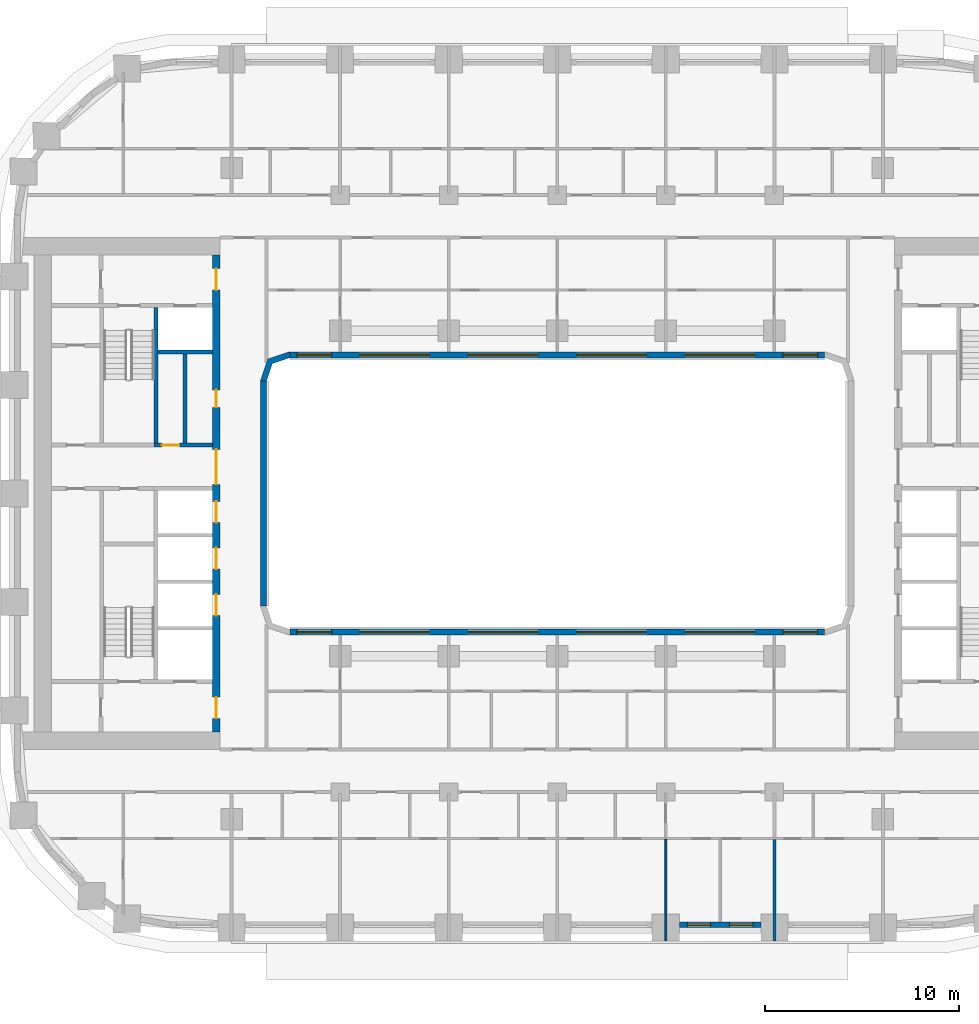
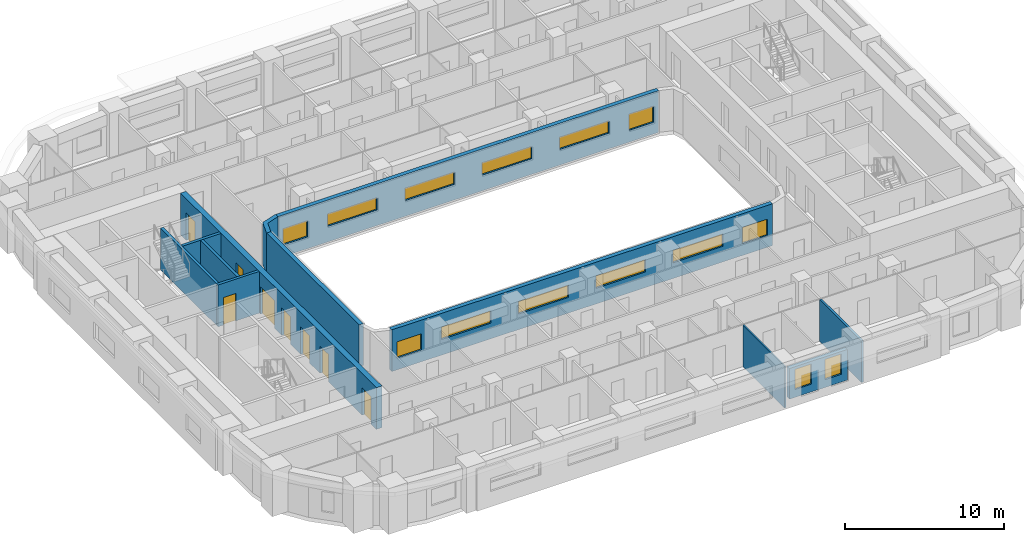
# One storey, part 5 of 22: 14 windows, 12 walls, 8 doors, 22 openings.
"""IFC4 building model written with IfcOpenShell, lengths in metres."""

from ifc_helpers import new_model, si_unit, direction, frame, frame_2d, origin, place, context, subcontext, project, spatial, polyline, rectangle, outline, extrude, material, layer, layer_set, type_object, element, fill, save


model = new_model("IFC4")

# Units and contexts
model_context = context("Model", 3, precision=1e-05, world=origin(), true_north=direction((0.0, 1.0)))
body_context = subcontext(model_context, "Body", "Model", "MODEL_VIEW")
ifc_project = project(units=[si_unit("LENGTHUNIT", "METRE"), si_unit("AREAUNIT", "SQUARE_METRE"), si_unit("VOLUMEUNIT", "CUBIC_METRE"), si_unit("PLANEANGLEUNIT", "RADIAN"), si_unit("MASSUNIT", "GRAM", prefix="KILO")], contexts=[model_context])

# Site, building, storey
site_placement = place(None, origin())
site = spatial("IfcSite", under=ifc_project, at=site_placement, CompositionType="ELEMENT")
building_placement = place(site_placement, origin())
building = spatial("IfcBuilding", under=site, at=building_placement, Name="Kiln Ring Residences", CompositionType="ELEMENT")
storey_placement = place(building_placement, frame((0.0, 0.0, 62.0)))
storey = spatial("IfcBuildingStorey", under=building, at=storey_placement, Name="L15", CompositionType="ELEMENT", Elevation=62.0)

# Wall
ifc_material_1 = material(Name="Gypsum board on steel studs", Category="steel")
ifc_layer_1 = layer(ifc_material_1, 0.199951171875)
ifc_layer_set_1 = layer_set([ifc_layer_1], Name="CORE-PARTITION-200")
wall_type_1 = type_object("IfcWallType", Name="CORE-PARTITION-200", PredefinedType="PARTITIONING", material=ifc_layer_set_1)
wall_1_placement = place(storey_placement, frame((-19.199951171875, 2.60009765625, 0.0), z_axis=(0.0, 0.0, 1.0), x_axis=(0.0, 1.0, 0.0)))
element("IfcWall", 1, at=wall_1_placement, inside=storey, type_object=wall_type_1, Name="Core partition west L15 3", PredefinedType="PARTITIONING", context=body_context, shape_type="SweptSolid", body=[
    extrude(rectangle(XDim=4.599853515625, YDim=0.199951171875, at=frame_2d((2.2998046875, 0.0))), origin(), (0.0, 0.0, 1.0), 3.199951171875),
])

# Wall, opening, door
ifc_material_2 = material(Name="Gypsum shaft wall system")
ifc_layer_2 = layer(ifc_material_2, 0.199951171875)
ifc_layer_set_2 = layer_set([ifc_layer_2], Name="CORE-SHAFT-WALL-200")
wall_type_2 = type_object("IfcWallType", Name="CORE-SHAFT-WALL-200", PredefinedType="PARTITIONING", material=ifc_layer_set_2)
wall_2_placement = place(storey_placement, frame((-17.800048828125, 2.5, 0.0), z_axis=(0.0, 0.0, 1.0), x_axis=(-1.0, 0.0, 0.0)))
wall_2 = element("IfcWall", 2, at=wall_2_placement, inside=storey, type_object=wall_type_2, Name="Core partition west L15 11", PredefinedType="PARTITIONING", context=body_context, shape_type="SweptSolid", body=[
    extrude(rectangle(XDim=3.0, YDim=0.199951171875, at=frame_2d((1.5, 0.0))), origin(), (0.0, 0.0, 1.0), 3.199951171875),
])
opening_1_placement = place(wall_2_placement, frame((1.699951171875, 0.0, 0.0)))
opening_1 = element("IfcOpeningElement", 3, at=opening_1_placement, cuts=wall_2, Name="Opening L15-CW06", PredefinedType="OPENING", context=body_context, shape_type="SweptSolid", body=[
    extrude(rectangle(XDim=0.89990234375, YDim=2.10009765625, at=frame_2d((0.449951171875, 1.050048828125))), frame((0.0, 0.10986328125, 0.0), z_axis=(0.0, -1.0, 0.0), x_axis=(1.0, 0.0, 0.0)), (0.0, 0.0, 1.0), 0.219970703125),
])
ifc_material_3 = material(Name="Steel door leaf", Category="steel")
door_type_1 = type_object("IfcDoorType", Name="CORE-DOOR-ROOM", OperationType="SINGLE_SWING_LEFT", PredefinedType="DOOR", material=ifc_material_3)
door_1_placement = place(opening_1_placement, origin())
door_1 = element("IfcDoor", 4, at=door_1_placement, inside=storey, type_object=door_type_1, Name="Service store L15-CW06", OperationType="SINGLE_SWING_LEFT", OverallHeight=2.10009765625, OverallWidth=0.89990234375, PredefinedType="DOOR", context=body_context, shape_type="SweptSolid", body=[
    extrude(rectangle(XDim=0.89990234375, YDim=2.10009765625, at=frame_2d((0.449951171875, 1.050048828125))), frame((0.0, 0.02490234375, 0.0), z_axis=(0.0, -1.0, 0.0), x_axis=(1.0, 0.0, 0.0)), (0.0, 0.0, 1.0), 0.050048828125),
])
fill(opening_1, door_1)

# Walls
wall_3_placement = place(storey_placement, frame((-17.800048828125, 7.300048828125, 0.0), z_axis=(0.0, 0.0, 1.0), x_axis=(-1.0, 0.0, 0.0)))
element("IfcWall", 5, at=wall_3_placement, inside=storey, type_object=wall_type_2, Name="Core partition west L15 12", PredefinedType="PARTITIONING", context=body_context, shape_type="SweptSolid", body=[
    extrude(rectangle(XDim=2.800048828125, YDim=0.199951171875, at=frame_2d((1.39990234375, 0.0))), origin(), (0.0, 0.0, 1.0), 3.199951171875),
])
ifc_material_4 = material(Name="Concrete C40/50", Category="concrete")
ifc_layer_3 = layer(ifc_material_4, 0.199951171875)
ifc_layer_set_3 = layer_set([ifc_layer_3], Name="CORE-WALL-RC200")
wall_type_3 = type_object("IfcWallType", Name="CORE-WALL-RC200", PredefinedType="SHEAR", material=ifc_layer_set_3)
wall_4_placement = place(storey_placement, frame((-20.699951171875, 2.60009765625, 0.0), z_axis=(0.0, 0.0, 1.0), x_axis=(0.0, 1.0, 0.0)))
element("IfcWall", 6, at=wall_4_placement, inside=storey, type_object=wall_type_3, Name="Core wall west L15 1", PredefinedType="SHEAR", context=body_context, shape_type="SweptSolid", body=[
    extrude(rectangle(XDim=7.0, YDim=0.199951171875, at=frame_2d((3.5, 0.0))), origin(), (0.0, 0.0, 1.0), 3.199951171875),
])

# Wall, openings, doors
ifc_material_5 = material(Name="Concrete C60/75", Category="concrete")
ifc_layer_4 = layer(ifc_material_5, 0.39990234375)
ifc_layer_set_4 = layer_set([ifc_layer_4], Name="CORE-WALL-RC400")
wall_type_4 = type_object("IfcWallType", Name="CORE-WALL-RC400", PredefinedType="SHEAR", material=ifc_layer_set_4)
wall_5_placement = place(storey_placement, frame((-17.60009765625, -12.300048828125, 0.0), z_axis=(0.0, 0.0, 1.0), x_axis=(0.0, 1.0, 0.0)))
wall_5 = element("IfcWall", 7, at=wall_5_placement, inside=storey, type_object=wall_type_4, Name="Core wall west L15 6", PredefinedType="SHEAR", context=body_context, shape_type="SweptSolid", body=[
    extrude(rectangle(XDim=24.60009765625, YDim=0.39990234375, at=frame_2d((12.300048828125, 0.0))), origin(), (0.0, 0.0, 1.0), 3.199951171875),
])
opening_2_placement = place(wall_5_placement, frame((6.0, 0.0, 0.0)))
opening_2 = element("IfcOpeningElement", 8, at=opening_2_placement, cuts=wall_5, Name="Opening L15-CW02", PredefinedType="OPENING", context=body_context, shape_type="SweptSolid", body=[
    extrude(rectangle(XDim=1.10009765625, YDim=2.10009765625, at=frame_2d((0.550048828125, 1.050048828125))), frame((0.0, 0.2099609375, 0.0), z_axis=(0.0, -1.0, 0.0), x_axis=(1.0, 0.0, 0.0)), (0.0, 0.0, 1.0), 0.419921875),
])
opening_3_placement = place(wall_5_placement, frame((8.39990234375, 0.0, 0.0)))
opening_3 = element("IfcOpeningElement", 9, at=opening_3_placement, cuts=wall_5, Name="Opening L15-CW03", PredefinedType="OPENING", context=body_context, shape_type="SweptSolid", body=[
    extrude(rectangle(XDim=1.10009765625, YDim=2.10009765625, at=frame_2d((0.550048828125, 1.050048828125))), frame((0.0, 0.2099609375, 0.0), z_axis=(0.0, -1.0, 0.0), x_axis=(1.0, 0.0, 0.0)), (0.0, 0.0, 1.0), 0.419921875),
])
opening_4_placement = place(wall_5_placement, frame((10.800048828125, 0.0, 0.0)))
opening_4 = element("IfcOpeningElement", 10, at=opening_4_placement, cuts=wall_5, Name="Opening L15-CW04", PredefinedType="OPENING", context=body_context, shape_type="SweptSolid", body=[
    extrude(rectangle(XDim=1.10009765625, YDim=2.10009765625, at=frame_2d((0.550048828125, 1.050048828125))), frame((0.0, 0.2099609375, 0.0), z_axis=(0.0, -1.0, 0.0), x_axis=(1.0, 0.0, 0.0)), (0.0, 0.0, 1.0), 0.419921875),
])
opening_5_placement = place(wall_5_placement, frame((16.75, 0.0, 0.0)))
opening_5 = element("IfcOpeningElement", 11, at=opening_5_placement, cuts=wall_5, Name="Opening L15-CW05", PredefinedType="OPENING", context=body_context, shape_type="SweptSolid", body=[
    extrude(rectangle(XDim=0.89990234375, YDim=2.10009765625, at=frame_2d((0.449951171875, 1.050048828125))), frame((0.0, 0.2099609375, 0.0), z_axis=(0.0, -1.0, 0.0), x_axis=(1.0, 0.0, 0.0)), (0.0, 0.0, 1.0), 0.419921875),
])
opening_6_placement = place(wall_5_placement, frame((22.800048828125, 0.0, 0.0)))
opening_6 = element("IfcOpeningElement", 12, at=opening_6_placement, cuts=wall_5, Name="Opening L15-CW08", PredefinedType="OPENING", context=body_context, shape_type="SweptSolid", body=[
    extrude(rectangle(XDim=1.10009765625, YDim=2.10009765625, at=frame_2d((0.550048828125, 1.050048828125))), frame((0.0, 0.2099609375, 0.0), z_axis=(0.0, -1.0, 0.0), x_axis=(1.0, 0.0, 0.0)), (0.0, 0.0, 1.0), 0.419921875),
])
opening_7_placement = place(wall_5_placement, frame((0.699951171875, 0.0, 0.0)))
opening_7 = element("IfcOpeningElement", 13, at=opening_7_placement, cuts=wall_5, Name="Opening L15-CW09", PredefinedType="OPENING", context=body_context, shape_type="SweptSolid", body=[
    extrude(rectangle(XDim=1.10009765625, YDim=2.10009765625, at=frame_2d((0.550048828125, 1.050048828125))), frame((0.0, 0.2099609375, 0.0), z_axis=(0.0, -1.0, 0.0), x_axis=(1.0, 0.0, 0.0)), (0.0, 0.0, 1.0), 0.419921875),
])
opening_8_placement = place(wall_5_placement, frame((12.77490234375, 0.0, 0.0)))
opening_8 = element("IfcOpeningElement", 14, at=opening_8_placement, cuts=wall_5, Name="Opening L15-CW14", PredefinedType="OPENING", context=body_context, shape_type="SweptSolid", body=[
    extrude(rectangle(XDim=1.800048828125, YDim=2.10009765625, at=frame_2d((0.89990234375, 1.050048828125))), frame((0.0, 0.2099609375, 0.0), z_axis=(0.0, -1.0, 0.0), x_axis=(1.0, 0.0, 0.0)), (0.0, 0.0, 1.0), 0.419921875),
])
ifc_material_6 = material(Name="Steel door leaf", Category="steel")
door_type_2 = type_object("IfcDoorType", Name="CORE-DOOR-LD", OperationType="DOUBLE_DOOR_SLIDING", PredefinedType="DOOR", material=ifc_material_6)
door_2_placement = place(opening_2_placement, origin())
door_2 = element("IfcDoor", 15, at=door_2_placement, inside=storey, type_object=door_type_2, Name="LD W-L1 L15-CW02", OperationType="DOUBLE_DOOR_SLIDING", OverallHeight=2.10009765625, OverallWidth=1.10009765625, PredefinedType="DOOR", context=body_context, shape_type="SweptSolid", body=[
    extrude(rectangle(XDim=1.10009765625, YDim=2.10009765625, at=frame_2d((0.550048828125, 1.050048828125))), frame((0.0, 0.02490234375, 0.0), z_axis=(0.0, -1.0, 0.0), x_axis=(1.0, 0.0, 0.0)), (0.0, 0.0, 1.0), 0.050048828125),
])
fill(opening_2, door_2)
door_3_placement = place(opening_3_placement, origin())
door_3 = element("IfcDoor", 16, at=door_3_placement, inside=storey, type_object=door_type_2, Name="LD W-L2 L15-CW03", OperationType="DOUBLE_DOOR_SLIDING", OverallHeight=2.10009765625, OverallWidth=1.10009765625, PredefinedType="DOOR", context=body_context, shape_type="SweptSolid", body=[
    extrude(rectangle(XDim=1.10009765625, YDim=2.10009765625, at=frame_2d((0.550048828125, 1.050048828125))), frame((0.0, 0.02490234375, 0.0), z_axis=(0.0, -1.0, 0.0), x_axis=(1.0, 0.0, 0.0)), (0.0, 0.0, 1.0), 0.050048828125),
])
fill(opening_3, door_3)
door_4_placement = place(opening_4_placement, origin())
door_4 = element("IfcDoor", 17, at=door_4_placement, inside=storey, type_object=door_type_2, Name="LD W-L3 L15-CW04", OperationType="DOUBLE_DOOR_SLIDING", OverallHeight=2.10009765625, OverallWidth=1.10009765625, PredefinedType="DOOR", context=body_context, shape_type="SweptSolid", body=[
    extrude(rectangle(XDim=1.10009765625, YDim=2.10009765625, at=frame_2d((0.550048828125, 1.050048828125))), frame((0.0, 0.02490234375, 0.0), z_axis=(0.0, -1.0, 0.0), x_axis=(1.0, 0.0, 0.0)), (0.0, 0.0, 1.0), 0.050048828125),
])
fill(opening_4, door_4)
ifc_material_7 = material(Name="Steel door leaf", Category="steel")
door_type_3 = type_object("IfcDoorType", Name="CORE-DOOR-LOBBY", OperationType="SINGLE_SWING_LEFT", PredefinedType="DOOR", material=ifc_material_7)
door_5_placement = place(opening_6_placement, origin())
door_5 = element("IfcDoor", 18, at=door_5_placement, inside=storey, type_object=door_type_3, Name="FFL L15-CW08", OperationType="SINGLE_SWING_LEFT", OverallHeight=2.10009765625, OverallWidth=1.10009765625, PredefinedType="DOOR", context=body_context, shape_type="SweptSolid", body=[
    extrude(rectangle(XDim=1.10009765625, YDim=2.10009765625, at=frame_2d((0.550048828125, 1.050048828125))), frame((0.0, 0.02490234375, 0.0), z_axis=(0.0, -1.0, 0.0), x_axis=(1.0, 0.0, 0.0)), (0.0, 0.0, 1.0), 0.050048828125),
])
fill(opening_6, door_5)
door_6_placement = place(opening_7_placement, origin())
door_6 = element("IfcDoor", 19, at=door_6_placement, inside=storey, type_object=door_type_3, Name="SVL L15-CW09", OperationType="SINGLE_SWING_RIGHT", OverallHeight=2.10009765625, OverallWidth=1.10009765625, PredefinedType="DOOR", context=body_context, shape_type="SweptSolid", body=[
    extrude(rectangle(XDim=1.10009765625, YDim=2.10009765625, at=frame_2d((0.550048828125, 1.050048828125))), frame((0.0, 0.02490234375, 0.0), z_axis=(0.0, -1.0, 0.0), x_axis=(1.0, 0.0, 0.0)), (0.0, 0.0, 1.0), 0.050048828125),
])
fill(opening_7, door_6)
ifc_material_8 = material(Name="Steel door leaf", Category="steel")
door_type_4 = type_object("IfcDoorType", Name="CORE-DOOR-PASS", OperationType="DOUBLE_DOOR_SINGLE_SWING", PredefinedType="DOOR", material=ifc_material_8)
door_7_placement = place(opening_8_placement, origin())
door_7 = element("IfcDoor", 20, at=door_7_placement, inside=storey, type_object=door_type_4, Name="Core passage L15-CW14", OperationType="DOUBLE_DOOR_SINGLE_SWING", OverallHeight=2.10009765625, OverallWidth=1.800048828125, PredefinedType="DOOR", context=body_context, shape_type="SweptSolid", body=[
    extrude(rectangle(XDim=1.800048828125, YDim=2.10009765625, at=frame_2d((0.89990234375, 1.050048828125))), frame((0.0, 0.02490234375, 0.0), z_axis=(0.0, -1.0, 0.0), x_axis=(1.0, 0.0, 0.0)), (0.0, 0.0, 1.0), 0.050048828125),
])
fill(opening_8, door_7)
door_8_placement = place(opening_5_placement, origin())
door_8 = element("IfcDoor", 21, at=door_8_placement, inside=storey, type_object=door_type_1, Name="Linen store L15-CW05", OperationType="SINGLE_SWING_LEFT", OverallHeight=2.10009765625, OverallWidth=0.89990234375, PredefinedType="DOOR", context=body_context, shape_type="SweptSolid", body=[
    extrude(rectangle(XDim=0.89990234375, YDim=2.10009765625, at=frame_2d((0.449951171875, 1.050048828125))), frame((0.0, 0.02490234375, 0.0), z_axis=(0.0, -1.0, 0.0), x_axis=(1.0, 0.0, 0.0)), (0.0, 0.0, 1.0), 0.050048828125),
])
fill(opening_5, door_8)

# Wall, openings, windows
ifc_material_9 = material(Name="Brick masonry, dark clay brick", Category="masonry")
ifc_layer_5 = layer(ifc_material_9, 0.300048828125)
ifc_layer_set_5 = layer_set([ifc_layer_5], Name="EW-300 BRICK WALL")
wall_type_5 = type_object("IfcWallType", Name="EW-300 BRICK WALL", PredefinedType="SOLIDWALL", material=ifc_layer_set_5)
wall_6_placement = place(storey_placement, frame((6.300048828125, -22.25, 0.0), z_axis=(0.0, 0.0, 1.0), x_axis=(1.0, 0.0, 0.0)))
wall_6 = element("IfcWall", 22, at=wall_6_placement, inside=storey, type_object=wall_type_5, Name="Facade wall L15 9", PredefinedType="SOLIDWALL", context=body_context, shape_type="SweptSolid", body=[
    extrude(rectangle(XDim=4.199951171875, YDim=0.300048828125, at=frame_2d((2.10009765625, 0.0))), origin(), (0.0, 0.0, 1.0), 2.35009765625),
])
opening_9_placement = place(wall_6_placement, frame((0.41259765625, 0.0, 0.60009765625)))
opening_9 = element("IfcOpeningElement", 23, at=opening_9_placement, cuts=wall_6, Name="Opening W1", PredefinedType="OPENING", context=body_context, shape_type="SweptSolid", body=[
    extrude(rectangle(XDim=1.199951171875, YDim=1.550048828125, at=frame_2d((0.60009765625, 0.77490234375))), frame((0.0, 0.159912109375, 0.0), z_axis=(0.0, -1.0, 0.0), x_axis=(1.0, 0.0, 0.0)), (0.0, 0.0, 1.0), 0.320068359375),
])
opening_10_placement = place(wall_6_placement, frame((2.58740234375, 0.0, 0.60009765625)))
opening_10 = element("IfcOpeningElement", 24, at=opening_10_placement, cuts=wall_6, Name="Opening W1", PredefinedType="OPENING", context=body_context, shape_type="SweptSolid", body=[
    extrude(rectangle(XDim=1.199951171875, YDim=1.550048828125, at=frame_2d((0.60009765625, 0.77490234375))), frame((0.0, 0.159912109375, 0.0), z_axis=(0.0, -1.0, 0.0), x_axis=(1.0, 0.0, 0.0)), (0.0, 0.0, 1.0), 0.320068359375),
])
ifc_material_10 = material(Name="Aluminium frame with double glazing", Category="aluminium")
window_type_1 = type_object("IfcWindowType", Name="WINDOW 1200 x 1550", PartitioningType="SINGLE_PANEL", PredefinedType="WINDOW", material=ifc_material_10)
window_1_placement = place(opening_9_placement, origin())
window_1 = element("IfcWindow", 25, at=window_1_placement, inside=storey, type_object=window_type_1, Name="Window L15 7", OverallHeight=1.550048828125, OverallWidth=1.199951171875, PartitioningType="SINGLE_PANEL", PredefinedType="WINDOW", context=body_context, shape_type="SweptSolid", body=[
    extrude(rectangle(XDim=1.199951171875, YDim=1.550048828125, at=frame_2d((0.60009765625, 0.77490234375))), frame((0.0, 0.030029296875, 0.0), z_axis=(0.0, -1.0, 0.0), x_axis=(1.0, 0.0, 0.0)), (0.0, 0.0, 1.0), 0.06005859375),
])
fill(opening_9, window_1)
window_2_placement = place(opening_10_placement, origin())
window_2 = element("IfcWindow", 26, at=window_2_placement, inside=storey, type_object=window_type_1, Name="Window L15 8", OverallHeight=1.550048828125, OverallWidth=1.199951171875, PartitioningType="SINGLE_PANEL", PredefinedType="WINDOW", context=body_context, shape_type="SweptSolid", body=[
    extrude(rectangle(XDim=1.199951171875, YDim=1.550048828125, at=frame_2d((0.60009765625, 0.77490234375))), frame((0.0, 0.030029296875, 0.0), z_axis=(0.0, -1.0, 0.0), x_axis=(1.0, 0.0, 0.0)), (0.0, 0.0, 1.0), 0.06005859375),
])
fill(opening_10, window_2)

# Wall
wall_7_placement = place(storey_placement, frame((-15.14990234375, -5.800048828125, 0.0), z_axis=(0.0, 0.0, 1.0), x_axis=(0.0, 1.0, 0.0)))
element("IfcWall", 27, at=wall_7_placement, inside=storey, type_object=wall_type_5, Name="Facade wall L15 49", PredefinedType="SOLIDWALL", context=body_context, shape_type="SweptSolid", body=[
    extrude(rectangle(XDim=11.60009765625, YDim=0.300048828125, at=frame_2d((5.800048828125, 0.0))), origin(), (0.0, 0.0, 1.0), 3.199951171875),
])

# Wall, openings, windows
wall_8_placement = place(storey_placement, frame((-13.800048828125, 7.14990234375, 0.0), z_axis=(0.0, 0.0, 1.0), x_axis=(1.0, 0.0, 0.0)))
wall_8 = element("IfcWall", 28, at=wall_8_placement, inside=storey, type_object=wall_type_5, Name="Facade wall L15 50", PredefinedType="SOLIDWALL", context=body_context, shape_type="SweptSolid", body=[
    extrude(rectangle(XDim=27.60009765625, YDim=0.300048828125, at=frame_2d((13.800048828125, 0.0))), origin(), (0.0, 0.0, 1.0), 3.199951171875),
])
opening_11_placement = place(wall_8_placement, frame((0.362548828125, 0.0, 0.89990234375)))
opening_11 = element("IfcOpeningElement", 29, at=opening_11_placement, cuts=wall_8, Name="Opening W2", PredefinedType="OPENING", context=body_context, shape_type="SweptSolid", body=[
    extrude(rectangle(XDim=1.800048828125, YDim=1.25, at=frame_2d((0.89990234375, 0.625))), frame((0.0, 0.159912109375, 0.0), z_axis=(0.0, -1.0, 0.0), x_axis=(1.0, 0.0, 0.0)), (0.0, 0.0, 1.0), 0.320068359375),
])
opening_12_placement = place(wall_8_placement, frame((3.60009765625, 0.0, 1.199951171875)))
opening_12 = element("IfcOpeningElement", 30, at=opening_12_placement, cuts=wall_8, Name="Opening W4", PredefinedType="OPENING", context=body_context, shape_type="SweptSolid", body=[
    extrude(rectangle(XDim=3.60009765625, YDim=0.949951171875, at=frame_2d((1.800048828125, 0.47509765625))), frame((0.0, 0.159912109375, 0.0), z_axis=(0.0, -1.0, 0.0), x_axis=(1.0, 0.0, 0.0)), (0.0, 0.0, 1.0), 0.320068359375),
])
opening_13_placement = place(wall_8_placement, frame((9.199951171875, 0.0, 1.199951171875)))
opening_13 = element("IfcOpeningElement", 31, at=opening_13_placement, cuts=wall_8, Name="Opening W4", PredefinedType="OPENING", context=body_context, shape_type="SweptSolid", body=[
    extrude(rectangle(XDim=3.60009765625, YDim=0.949951171875, at=frame_2d((1.800048828125, 0.47509765625))), frame((0.0, 0.159912109375, 0.0), z_axis=(0.0, -1.0, 0.0), x_axis=(1.0, 0.0, 0.0)), (0.0, 0.0, 1.0), 0.320068359375),
])
opening_14_placement = place(wall_8_placement, frame((14.800048828125, 0.0, 1.199951171875)))
opening_14 = element("IfcOpeningElement", 32, at=opening_14_placement, cuts=wall_8, Name="Opening W4", PredefinedType="OPENING", context=body_context, shape_type="SweptSolid", body=[
    extrude(rectangle(XDim=3.60009765625, YDim=0.949951171875, at=frame_2d((1.800048828125, 0.47509765625))), frame((0.0, 0.159912109375, 0.0), z_axis=(0.0, -1.0, 0.0), x_axis=(1.0, 0.0, 0.0)), (0.0, 0.0, 1.0), 0.320068359375),
])
opening_15_placement = place(wall_8_placement, frame((20.39990234375, 0.0, 1.199951171875)))
opening_15 = element("IfcOpeningElement", 33, at=opening_15_placement, cuts=wall_8, Name="Opening W4", PredefinedType="OPENING", context=body_context, shape_type="SweptSolid", body=[
    extrude(rectangle(XDim=3.60009765625, YDim=0.949951171875, at=frame_2d((1.800048828125, 0.47509765625))), frame((0.0, 0.159912109375, 0.0), z_axis=(0.0, -1.0, 0.0), x_axis=(1.0, 0.0, 0.0)), (0.0, 0.0, 1.0), 0.320068359375),
])
opening_16_placement = place(wall_8_placement, frame((25.4375, 0.0, 0.89990234375)))
opening_16 = element("IfcOpeningElement", 34, at=opening_16_placement, cuts=wall_8, Name="Opening W2", PredefinedType="OPENING", context=body_context, shape_type="SweptSolid", body=[
    extrude(rectangle(XDim=1.800048828125, YDim=1.25, at=frame_2d((0.89990234375, 0.625))), frame((0.0, 0.159912109375, 0.0), z_axis=(0.0, -1.0, 0.0), x_axis=(1.0, 0.0, 0.0)), (0.0, 0.0, 1.0), 0.320068359375),
])
ifc_material_11 = material(Name="Aluminium frame with double glazing", Category="aluminium")
window_type_2 = type_object("IfcWindowType", Name="WINDOW 1800 x 1250", PartitioningType="SINGLE_PANEL", PredefinedType="WINDOW", material=ifc_material_11)
window_3_placement = place(opening_11_placement, origin())
window_3 = element("IfcWindow", 35, at=window_3_placement, inside=storey, type_object=window_type_2, Name="Window L15 22", OverallHeight=1.25, OverallWidth=1.800048828125, PartitioningType="SINGLE_PANEL", PredefinedType="WINDOW", context=body_context, shape_type="SweptSolid", body=[
    extrude(rectangle(XDim=1.800048828125, YDim=1.25, at=frame_2d((0.89990234375, 0.625))), frame((0.0, 0.030029296875, 0.0), z_axis=(0.0, -1.0, 0.0), x_axis=(1.0, 0.0, 0.0)), (0.0, 0.0, 1.0), 0.06005859375),
])
fill(opening_11, window_3)
window_4_placement = place(opening_16_placement, origin())
window_4 = element("IfcWindow", 36, at=window_4_placement, inside=storey, type_object=window_type_2, Name="Window L15 27", OverallHeight=1.25, OverallWidth=1.800048828125, PartitioningType="SINGLE_PANEL", PredefinedType="WINDOW", context=body_context, shape_type="SweptSolid", body=[
    extrude(rectangle(XDim=1.800048828125, YDim=1.25, at=frame_2d((0.89990234375, 0.625))), frame((0.0, 0.030029296875, 0.0), z_axis=(0.0, -1.0, 0.0), x_axis=(1.0, 0.0, 0.0)), (0.0, 0.0, 1.0), 0.06005859375),
])
fill(opening_16, window_4)
ifc_material_12 = material(Name="Aluminium frame with double glazing", Category="aluminium")
window_type_3 = type_object("IfcWindowType", Name="WINDOW 3600 x 950", PartitioningType="SINGLE_PANEL", PredefinedType="WINDOW", material=ifc_material_12)
window_5_placement = place(opening_12_placement, origin())
window_5 = element("IfcWindow", 37, at=window_5_placement, inside=storey, type_object=window_type_3, Name="Window L15 23", OverallHeight=0.949951171875, OverallWidth=3.60009765625, PartitioningType="SINGLE_PANEL", PredefinedType="WINDOW", context=body_context, shape_type="SweptSolid", body=[
    extrude(rectangle(XDim=3.60009765625, YDim=0.949951171875, at=frame_2d((1.800048828125, 0.47509765625))), frame((0.0, 0.030029296875, 0.0), z_axis=(0.0, -1.0, 0.0), x_axis=(1.0, 0.0, 0.0)), (0.0, 0.0, 1.0), 0.06005859375),
])
fill(opening_12, window_5)
window_6_placement = place(opening_13_placement, origin())
window_6 = element("IfcWindow", 38, at=window_6_placement, inside=storey, type_object=window_type_3, Name="Window L15 24", OverallHeight=0.949951171875, OverallWidth=3.60009765625, PartitioningType="SINGLE_PANEL", PredefinedType="WINDOW", context=body_context, shape_type="SweptSolid", body=[
    extrude(rectangle(XDim=3.60009765625, YDim=0.949951171875, at=frame_2d((1.800048828125, 0.47509765625))), frame((0.0, 0.030029296875, 0.0), z_axis=(0.0, -1.0, 0.0), x_axis=(1.0, 0.0, 0.0)), (0.0, 0.0, 1.0), 0.06005859375),
])
fill(opening_13, window_6)
window_7_placement = place(opening_14_placement, origin())
window_7 = element("IfcWindow", 39, at=window_7_placement, inside=storey, type_object=window_type_3, Name="Window L15 25", OverallHeight=0.949951171875, OverallWidth=3.60009765625, PartitioningType="SINGLE_PANEL", PredefinedType="WINDOW", context=body_context, shape_type="SweptSolid", body=[
    extrude(rectangle(XDim=3.60009765625, YDim=0.949951171875, at=frame_2d((1.800048828125, 0.47509765625))), frame((0.0, 0.030029296875, 0.0), z_axis=(0.0, -1.0, 0.0), x_axis=(1.0, 0.0, 0.0)), (0.0, 0.0, 1.0), 0.06005859375),
])
fill(opening_14, window_7)
window_8_placement = place(opening_15_placement, origin())
window_8 = element("IfcWindow", 40, at=window_8_placement, inside=storey, type_object=window_type_3, Name="Window L15 26", OverallHeight=0.949951171875, OverallWidth=3.60009765625, PartitioningType="SINGLE_PANEL", PredefinedType="WINDOW", context=body_context, shape_type="SweptSolid", body=[
    extrude(rectangle(XDim=3.60009765625, YDim=0.949951171875, at=frame_2d((1.800048828125, 0.47509765625))), frame((0.0, 0.030029296875, 0.0), z_axis=(0.0, -1.0, 0.0), x_axis=(1.0, 0.0, 0.0)), (0.0, 0.0, 1.0), 0.06005859375),
])
fill(opening_15, window_8)

wall_9_placement = place(storey_placement, frame((13.800048828125, -7.14990234375, 0.0), z_axis=(0.0, 0.0, 1.0), x_axis=(-1.0, 0.0, 0.0)))
wall_9 = element("IfcWall", 41, at=wall_9_placement, inside=storey, type_object=wall_type_5, Name="Facade wall L15 52", PredefinedType="SOLIDWALL", context=body_context, shape_type="SweptSolid", body=[
    extrude(rectangle(XDim=27.60009765625, YDim=0.300048828125, at=frame_2d((13.800048828125, 0.0))), origin(), (0.0, 0.0, 1.0), 3.199951171875),
])
opening_17_placement = place(wall_9_placement, frame((0.362548828125, 0.0, 0.89990234375)))
opening_17 = element("IfcOpeningElement", 42, at=opening_17_placement, cuts=wall_9, Name="Opening W2", PredefinedType="OPENING", context=body_context, shape_type="SweptSolid", body=[
    extrude(rectangle(XDim=1.800048828125, YDim=1.25, at=frame_2d((0.89990234375, 0.625))), frame((0.0, 0.159912109375, 0.0), z_axis=(0.0, -1.0, 0.0), x_axis=(1.0, 0.0, 0.0)), (0.0, 0.0, 1.0), 0.320068359375),
])
opening_18_placement = place(wall_9_placement, frame((3.60009765625, 0.0, 1.199951171875)))
opening_18 = element("IfcOpeningElement", 43, at=opening_18_placement, cuts=wall_9, Name="Opening W4", PredefinedType="OPENING", context=body_context, shape_type="SweptSolid", body=[
    extrude(rectangle(XDim=3.60009765625, YDim=0.949951171875, at=frame_2d((1.800048828125, 0.47509765625))), frame((0.0, 0.159912109375, 0.0), z_axis=(0.0, -1.0, 0.0), x_axis=(1.0, 0.0, 0.0)), (0.0, 0.0, 1.0), 0.320068359375),
])
opening_19_placement = place(wall_9_placement, frame((9.199951171875, 0.0, 1.199951171875)))
opening_19 = element("IfcOpeningElement", 44, at=opening_19_placement, cuts=wall_9, Name="Opening W4", PredefinedType="OPENING", context=body_context, shape_type="SweptSolid", body=[
    extrude(rectangle(XDim=3.60009765625, YDim=0.949951171875, at=frame_2d((1.800048828125, 0.47509765625))), frame((0.0, 0.159912109375, 0.0), z_axis=(0.0, -1.0, 0.0), x_axis=(1.0, 0.0, 0.0)), (0.0, 0.0, 1.0), 0.320068359375),
])
opening_20_placement = place(wall_9_placement, frame((14.800048828125, 0.0, 1.199951171875)))
opening_20 = element("IfcOpeningElement", 45, at=opening_20_placement, cuts=wall_9, Name="Opening W4", PredefinedType="OPENING", context=body_context, shape_type="SweptSolid", body=[
    extrude(rectangle(XDim=3.60009765625, YDim=0.949951171875, at=frame_2d((1.800048828125, 0.47509765625))), frame((0.0, 0.159912109375, 0.0), z_axis=(0.0, -1.0, 0.0), x_axis=(1.0, 0.0, 0.0)), (0.0, 0.0, 1.0), 0.320068359375),
])
opening_21_placement = place(wall_9_placement, frame((20.39990234375, 0.0, 1.199951171875)))
opening_21 = element("IfcOpeningElement", 46, at=opening_21_placement, cuts=wall_9, Name="Opening W4", PredefinedType="OPENING", context=body_context, shape_type="SweptSolid", body=[
    extrude(rectangle(XDim=3.60009765625, YDim=0.949951171875, at=frame_2d((1.800048828125, 0.47509765625))), frame((0.0, 0.159912109375, 0.0), z_axis=(0.0, -1.0, 0.0), x_axis=(1.0, 0.0, 0.0)), (0.0, 0.0, 1.0), 0.320068359375),
])
opening_22_placement = place(wall_9_placement, frame((25.4375, 0.0, 0.89990234375)))
opening_22 = element("IfcOpeningElement", 47, at=opening_22_placement, cuts=wall_9, Name="Opening W2", PredefinedType="OPENING", context=body_context, shape_type="SweptSolid", body=[
    extrude(rectangle(XDim=1.800048828125, YDim=1.25, at=frame_2d((0.89990234375, 0.625))), frame((0.0, 0.159912109375, 0.0), z_axis=(0.0, -1.0, 0.0), x_axis=(1.0, 0.0, 0.0)), (0.0, 0.0, 1.0), 0.320068359375),
])
window_9_placement = place(opening_17_placement, origin())
window_9 = element("IfcWindow", 48, at=window_9_placement, inside=storey, type_object=window_type_2, Name="Window L15 28", OverallHeight=1.25, OverallWidth=1.800048828125, PartitioningType="SINGLE_PANEL", PredefinedType="WINDOW", context=body_context, shape_type="SweptSolid", body=[
    extrude(rectangle(XDim=1.800048828125, YDim=1.25, at=frame_2d((0.89990234375, 0.625))), frame((0.0, 0.030029296875, 0.0), z_axis=(0.0, -1.0, 0.0), x_axis=(1.0, 0.0, 0.0)), (0.0, 0.0, 1.0), 0.06005859375),
])
fill(opening_17, window_9)
window_10_placement = place(opening_22_placement, origin())
window_10 = element("IfcWindow", 49, at=window_10_placement, inside=storey, type_object=window_type_2, Name="Window L15 33", OverallHeight=1.25, OverallWidth=1.800048828125, PartitioningType="SINGLE_PANEL", PredefinedType="WINDOW", context=body_context, shape_type="SweptSolid", body=[
    extrude(rectangle(XDim=1.800048828125, YDim=1.25, at=frame_2d((0.89990234375, 0.625))), frame((0.0, 0.030029296875, 0.0), z_axis=(0.0, -1.0, 0.0), x_axis=(1.0, 0.0, 0.0)), (0.0, 0.0, 1.0), 0.06005859375),
])
fill(opening_22, window_10)
window_11_placement = place(opening_18_placement, origin())
window_11 = element("IfcWindow", 50, at=window_11_placement, inside=storey, type_object=window_type_3, Name="Window L15 29", OverallHeight=0.949951171875, OverallWidth=3.60009765625, PartitioningType="SINGLE_PANEL", PredefinedType="WINDOW", context=body_context, shape_type="SweptSolid", body=[
    extrude(rectangle(XDim=3.60009765625, YDim=0.949951171875, at=frame_2d((1.800048828125, 0.47509765625))), frame((0.0, 0.030029296875, 0.0), z_axis=(0.0, -1.0, 0.0), x_axis=(1.0, 0.0, 0.0)), (0.0, 0.0, 1.0), 0.06005859375),
])
fill(opening_18, window_11)
window_12_placement = place(opening_19_placement, origin())
window_12 = element("IfcWindow", 51, at=window_12_placement, inside=storey, type_object=window_type_3, Name="Window L15 30", OverallHeight=0.949951171875, OverallWidth=3.60009765625, PartitioningType="SINGLE_PANEL", PredefinedType="WINDOW", context=body_context, shape_type="SweptSolid", body=[
    extrude(rectangle(XDim=3.60009765625, YDim=0.949951171875, at=frame_2d((1.800048828125, 0.47509765625))), frame((0.0, 0.030029296875, 0.0), z_axis=(0.0, -1.0, 0.0), x_axis=(1.0, 0.0, 0.0)), (0.0, 0.0, 1.0), 0.06005859375),
])
fill(opening_19, window_12)
window_13_placement = place(opening_20_placement, origin())
window_13 = element("IfcWindow", 52, at=window_13_placement, inside=storey, type_object=window_type_3, Name="Window L15 31", OverallHeight=0.949951171875, OverallWidth=3.60009765625, PartitioningType="SINGLE_PANEL", PredefinedType="WINDOW", context=body_context, shape_type="SweptSolid", body=[
    extrude(rectangle(XDim=3.60009765625, YDim=0.949951171875, at=frame_2d((1.800048828125, 0.47509765625))), frame((0.0, 0.030029296875, 0.0), z_axis=(0.0, -1.0, 0.0), x_axis=(1.0, 0.0, 0.0)), (0.0, 0.0, 1.0), 0.06005859375),
])
fill(opening_20, window_13)
window_14_placement = place(opening_21_placement, origin())
window_14 = element("IfcWindow", 53, at=window_14_placement, inside=storey, type_object=window_type_3, Name="Window L15 32", OverallHeight=0.949951171875, OverallWidth=3.60009765625, PartitioningType="SINGLE_PANEL", PredefinedType="WINDOW", context=body_context, shape_type="SweptSolid", body=[
    extrude(rectangle(XDim=3.60009765625, YDim=0.949951171875, at=frame_2d((1.800048828125, 0.47509765625))), frame((0.0, 0.030029296875, 0.0), z_axis=(0.0, -1.0, 0.0), x_axis=(1.0, 0.0, 0.0)), (0.0, 0.0, 1.0), 0.06005859375),
])
fill(opening_21, window_14)

# Walls
wall_10_placement = place(storey_placement, origin())
element("IfcWall", 54, at=wall_10_placement, inside=storey, type_object=wall_type_5, Name="Corner wall L15 1", PredefinedType="SOLIDWALL", context=body_context, shape_type="SweptSolid", body=[
    extrude(outline(polyline([(-13.8486328125, 7.300048828125), (-14.937255859375, 6.937255859375), (-15.300048828125, 5.8486328125), (-15.300048828125, 5.800048828125), (-15.0, 5.800048828125), (-14.699951171875, 6.699951171875), (-13.800048828125, 7.0), (-13.800048828125, 7.300048828125), (-13.8486328125, 7.300048828125)])), origin(), (0.0, 0.0, 1.0), 3.199951171875),
])
ifc_material_13 = material(Name="Gypsum board on steel studs", Category="steel")
ifc_layer_6 = layer(ifc_material_13, 0.10009765625)
ifc_layer_set_6 = layer_set([ifc_layer_6], Name="PARTITION-100")
wall_type_6 = type_object("IfcWallType", Name="PARTITION-100", PredefinedType="PARTITIONING", material=ifc_layer_set_6)
wall_11_placement = place(storey_placement, frame((5.60009765625, -23.080078125, 0.0), z_axis=(0.0, 0.0, 1.0), x_axis=(0.0, 1.0, 0.0)))
element("IfcWall", 55, at=wall_11_placement, inside=storey, type_object=wall_type_6, Name="Partition 052", PredefinedType="PARTITIONING", context=body_context, shape_type="SweptSolid", body=[
    extrude(rectangle(XDim=5.22998046875, YDim=0.10009765625, at=frame_2d((2.614990234375, 0.0))), origin(), (0.0, 0.0, 1.0), 3.199951171875),
])
ifc_material_14 = material(Name="Brick masonry partition", Category="masonry")
ifc_layer_7 = layer(ifc_material_14, 0.14990234375)
ifc_layer_set_7 = layer_set([ifc_layer_7], Name="PARTITION-150-ei60")
wall_type_7 = type_object("IfcWallType", Name="PARTITION-150-ei60", PredefinedType="PARTITIONING", material=ifc_layer_set_7)
wall_12_placement = place(storey_placement, frame((11.199951171875, -23.080078125, 0.0), z_axis=(0.0, 0.0, 1.0), x_axis=(0.0, 1.0, 0.0)))
element("IfcWall", 56, at=wall_12_placement, inside=storey, type_object=wall_type_7, Name="Partition 066", PredefinedType="PARTITIONING", context=body_context, shape_type="SweptSolid", body=[
    extrude(rectangle(XDim=5.22998046875, YDim=0.14990234375, at=frame_2d((2.614990234375, 0.0))), origin(), (0.0, 0.0, 1.0), 3.199951171875),
])

save(model, "model.ifc")
